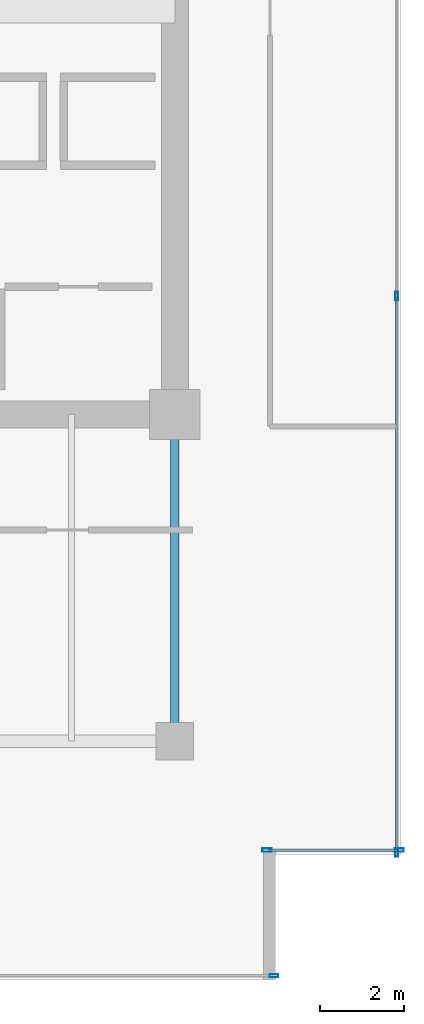
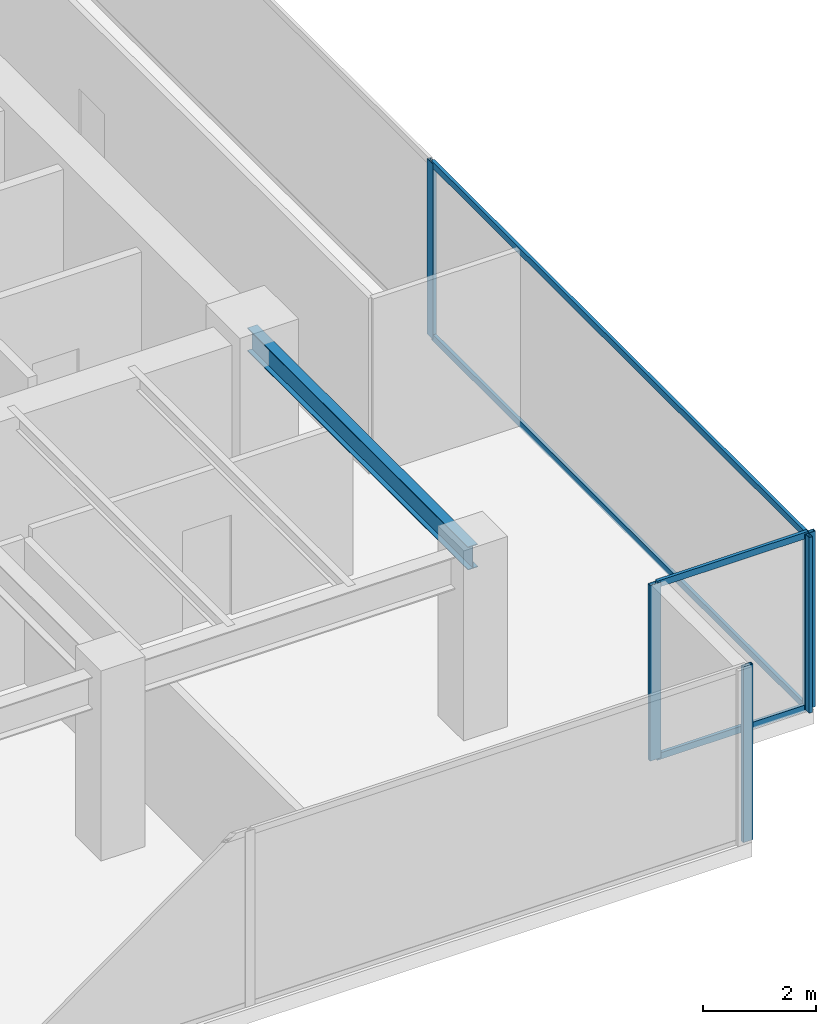
# One storey, part 21 of 30: 9 members, 1 beam, 3 elements without a shape of their own.
"""IFC4 building model written with IfcOpenShell, lengths in metres."""

import ifcopenshell
import ifcopenshell.guid

model = None  # the IFC model being written
_history = None  # IfcOwnerHistory: only IFC2X3 demands one
_inside = {}  # id of a spatial element -> (the spatial element, [elements in it])
_under = {}  # id of a project, library or spatial element -> (it, [spatial elements below it])
_declared = {}  # id of a project -> (the project, [libraries it declares])
_typed = {}  # id of a type object -> (the type object, [elements of that type])
_made_of = {}  # id of a material, layer set ... -> (it, [elements and type objects made of it])


def new_model(schema):
    """Start an empty IFC model of exactly this schema.

    Asked for "IFC4X3", IfcOpenShell would pick the latest addendum, in which some entities
    have other attributes; the version numbers below select the first issue.
    IFC2X3 requires an IfcOwnerHistory on every rooted entity: one is made here for all.
    """
    global model, _history
    if schema == "IFC4X3":
        model = ifcopenshell.file(schema_version=(4, 3, 0, 0))
    else:
        model = ifcopenshell.file(schema=schema)
    _inside.clear()
    _under.clear()
    _declared.clear()
    _typed.clear()
    _made_of.clear()
    _history = None
    if model.schema == "IFC2X3":
        org = make("IfcOrganization", Name="unknown")
        user = make(
            "IfcPersonAndOrganization",
            ThePerson=make("IfcPerson", FamilyName="unknown"),
            TheOrganization=org,
        )
        app = make(
            "IfcApplication",
            ApplicationDeveloper=org,
            Version="unknown",
            ApplicationFullName="unknown",
            ApplicationIdentifier="unknown",
        )
        _history = make(
            "IfcOwnerHistory",
            OwningUser=user,
            OwningApplication=app,
            ChangeAction="ADDED",
            CreationDate=0,
        )
    return model


def make(cls, **values):
    """One entity of the class cls with the attributes given. An attribute that is None is left unset."""
    return model.create_entity(
        cls, **{name: value for name, value in values.items() if value is not None}
    )


def rooted(cls, **values):
    """An entity with a GlobalId (a new one), such as an element, a storey or a relation."""
    return make(cls, GlobalId=ifcopenshell.guid.new(), OwnerHistory=_history, **values)


def si_unit(unit_type, name, prefix=None):
    """IfcSIUnit, for example si_unit("LENGTHUNIT", "METRE", prefix="MILLI")."""
    return make("IfcSIUnit", UnitType=unit_type, Prefix=prefix, Name=name)


def assignment(units):
    """IfcUnitAssignment: the units of a project."""
    return None if units is None else make("IfcUnitAssignment", Units=units)


def point(xyz):
    """IfcCartesianPoint."""
    return None if xyz is None else make("IfcCartesianPoint", Coordinates=xyz)


def direction(xyz):
    """IfcDirection."""
    return None if xyz is None else make("IfcDirection", DirectionRatios=xyz)


def frame(location, z_axis=None, x_axis=None):
    """IfcAxis2Placement3D, a coordinate frame: its origin and axes. An axis left out is left unset."""
    return make(
        "IfcAxis2Placement3D",
        Location=point(location),
        Axis=direction(z_axis),
        RefDirection=direction(x_axis),
    )


def frame_2d(location, x_axis=None):
    """IfcAxis2Placement2D, a coordinate frame in the plane: its origin and x axis."""
    return make(
        "IfcAxis2Placement2D", Location=point(location), RefDirection=direction(x_axis)
    )


def origin():
    """The frame at (0, 0, 0) with its axes left unset."""
    return frame((0.0, 0.0, 0.0))


def origin_2d():
    """The frame at (0, 0) in the plane with its x axis left unset."""
    return frame_2d((0.0, 0.0))


def place(relative_to, where):
    """IfcLocalPlacement: puts the frame where relative to a parent placement (None: the world)."""
    return make(
        "IfcLocalPlacement", PlacementRelTo=relative_to, RelativePlacement=where
    )


def context(
    kind, dimensions, precision=None, world=None, true_north=None, identifier=None
):
    """IfcGeometricRepresentationContext, for example the 3D "Model" context."""
    return make(
        "IfcGeometricRepresentationContext",
        ContextIdentifier=identifier,
        ContextType=kind,
        CoordinateSpaceDimension=dimensions,
        Precision=precision,
        WorldCoordinateSystem=world,
        TrueNorth=true_north,
    )


def subcontext(parent, identifier, kind, view, scale=None):
    """IfcGeometricRepresentationSubContext, for example "Body" below "Model"."""
    return make(
        "IfcGeometricRepresentationSubContext",
        ContextIdentifier=identifier,
        ContextType=kind,
        ParentContext=parent,
        TargetScale=scale,
        TargetView=view,
    )


def project(units=None, contexts=None):
    """IfcProject with its units and contexts."""
    return rooted(
        "IfcProject",
        Name="project",
        RepresentationContexts=contexts,
        UnitsInContext=assignment(units),
    )


def spatial(cls, under=None, at=None, **own):
    """A site, building, storey or space (cls), placed at a placement, below another one or the project."""
    s = rooted(cls, ObjectPlacement=at, **own)
    if under is not None:
        _under.setdefault(under.id(), (under, []))[1].append(s)
    return s


def profile(cls, at=None, kind="AREA", **sizes):
    """A parametric profile (cls). Its sizes go by their IFC names, for example OverallWidth=200.0."""
    return make(cls, ProfileType=kind, Position=at, **sizes)


def hollow_rectangle(**sizes):
    """IfcRectangleHollowProfileDef."""
    return profile("IfcRectangleHollowProfileDef", **sizes)


def i_section(**sizes):
    """IfcIShapeProfileDef."""
    return profile("IfcIShapeProfileDef", **sizes)


def extrude(swept, where, along, depth):
    """IfcExtrudedAreaSolid: the profile swept, set in the frame where, extruded along a direction by depth."""
    return make(
        "IfcExtrudedAreaSolid",
        SweptArea=swept,
        Position=where,
        ExtrudedDirection=direction(along),
        Depth=depth,
    )


def shape(context_of_items, identifier, shape_type, items):
    """IfcShapeRepresentation: the items that make up one representation, for example the "Body"."""
    return make(
        "IfcShapeRepresentation",
        ContextOfItems=context_of_items,
        RepresentationIdentifier=identifier,
        RepresentationType=shape_type,
        Items=items,
    )


def source(mapping_origin, context_of_items, identifier, shape_type, items):
    """IfcRepresentationMap: a shape defined once, which mapped items show again and again."""
    return make(
        "IfcRepresentationMap",
        MappingOrigin=mapping_origin,
        MappedRepresentation=shape(context_of_items, identifier, shape_type, items),
    )


def transform(
    local_origin,
    x_axis=None,
    y_axis=None,
    z_axis=None,
    scale=None,
    scale2=None,
    scale3=None,
    uniform=True,
):
    """IfcCartesianTransformationOperator3D, or its non-uniform kind. x_axis, y_axis, z_axis: its Axis1, 2, 3."""
    if uniform:
        return make(
            "IfcCartesianTransformationOperator3D",
            Axis1=direction(x_axis),
            Axis2=direction(y_axis),
            LocalOrigin=point(local_origin),
            Scale=scale,
            Axis3=direction(z_axis),
        )
    return make(
        "IfcCartesianTransformationOperator3DnonUniform",
        Axis1=direction(x_axis),
        Axis2=direction(y_axis),
        LocalOrigin=point(local_origin),
        Scale=scale,
        Axis3=direction(z_axis),
        Scale2=scale2,
        Scale3=scale3,
    )


def mapped(mapping_source, mapping_target):
    """IfcMappedItem: shows the shape of a source again, moved by a transform."""
    return make(
        "IfcMappedItem", MappingSource=mapping_source, MappingTarget=mapping_target
    )


def material(Name=None, Category=None):
    """IfcMaterial."""
    return make("IfcMaterial", Name=Name, Category=Category)


def layer(
    of_material, thickness, ventilated=None, Name=None, Category=None, Priority=None
):
    """IfcMaterialLayer: one layer of a wall or slab, of a material (None: an air gap)."""
    return make(
        "IfcMaterialLayer",
        Material=of_material,
        LayerThickness=thickness,
        IsVentilated=ventilated,
        Name=Name,
        Category=Category,
        Priority=Priority,
    )


def layer_set(layers, Name=None):
    """IfcMaterialLayerSet."""
    return make("IfcMaterialLayerSet", MaterialLayers=layers, LayerSetName=Name)


def material_profile(
    of_material, cross_section, Name=None, Category=None, Priority=None
):
    """IfcMaterialProfile: a cross section and its material."""
    return make(
        "IfcMaterialProfile",
        Name=Name,
        Material=of_material,
        Profile=cross_section,
        Priority=Priority,
        Category=Category,
    )


def profile_set(profiles, Name=None, composite=None):
    """IfcMaterialProfileSet."""
    return make(
        "IfcMaterialProfileSet",
        Name=Name,
        MaterialProfiles=profiles,
        CompositeProfile=composite,
    )


def made_of(thing, what):
    """Note that an element or type object is made of a material, layer set ...; save() writes the relation."""
    if what is not None:
        _made_of.setdefault(what.id(), (what, []))[1].append(thing)
    return thing


def type_object(cls, material=None, **own):
    """A type object (cls), such as IfcWallType, which elements share."""
    return made_of(rooted(cls, **own), material)


def type_shapes(of_type, sources):
    """Give a type object the sources (RepresentationMaps) that its elements show as mapped items."""
    of_type.RepresentationMaps = sources


def element(
    cls,
    number,
    at=None,
    inside=None,
    cuts=None,
    type_object=None,
    material=None,
    context=None,
    identifier="Body",
    shape_type=None,
    held_by="IfcProductDefinitionShape",
    body=None,
    shapes=None,
    **own,
):
    """One element of the class cls, such as IfcWall. Its Tag is "e" and its number.

    at: its placement. inside: the storey or other place that contains it. cuts: it is an
    opening in that element (IfcRelVoidsElement). A single representation is given by context,
    identifier, shape_type and body (its items); several are given by shapes. held_by: the class
    of the entity that holds the representations. save() writes the other relations.
    """
    e = rooted(cls, Tag="e%d" % number, ObjectPlacement=at, **own)
    if body is not None:
        shapes = [shape(context, identifier, shape_type, body)]
    if shapes is not None:
        e.Representation = make(held_by, Representations=shapes)
    if inside is not None:
        _inside.setdefault(inside.id(), (inside, []))[1].append(e)
    if cuts is not None:
        rooted(
            "IfcRelVoidsElement", RelatingBuildingElement=cuts, RelatedOpeningElement=e
        )
    if type_object is not None:
        _typed.setdefault(type_object.id(), (type_object, []))[1].append(e)
    return made_of(e, material)


def aggregate(whole, parts):
    """IfcRelAggregates: a whole, such as a stair, and the parts it consists of."""
    return rooted("IfcRelAggregates", RelatingObject=whole, RelatedObjects=parts)


def save(model, path):
    """Write the relations noted so far, then the file.

    IfcRelAggregates (storeys below a building ...), IfcRelContainedInSpatialStructure (elements
    in a storey), IfcRelDefinesByType, IfcRelAssociatesMaterial and IfcRelDeclares: one each for
    every whole, place, type object, material and project.
    """
    for whole, parts in _under.values():
        aggregate(whole, parts)
    for where, things in _inside.values():
        rooted(
            "IfcRelContainedInSpatialStructure",
            RelatedElements=things,
            RelatingStructure=where,
        )
    for kind, things in _typed.values():
        rooted("IfcRelDefinesByType", RelatedObjects=things, RelatingType=kind)
    for what, things in _made_of.values():
        rooted("IfcRelAssociatesMaterial", RelatedObjects=things, RelatingMaterial=what)
    for by, libraries in _declared.values():
        rooted("IfcRelDeclares", RelatingContext=by, RelatedDefinitions=libraries)
    model.write(path)


model = new_model("IFC4")

# Units and contexts
model_context = context("Model", 3, precision=1e-05, world=origin(), true_north=direction((0.0, 1.0)))
body_context = subcontext(model_context, "Body", "Model", "MODEL_VIEW")
ifc_project = project(units=[si_unit("LENGTHUNIT", "METRE"), si_unit("AREAUNIT", "SQUARE_METRE"), si_unit("VOLUMEUNIT", "CUBIC_METRE"), si_unit("PLANEANGLEUNIT", "RADIAN"), si_unit("MASSUNIT", "GRAM", prefix="KILO")], contexts=[model_context])

# Site, building, storey
site_placement = place(None, origin())
site = spatial("IfcSite", under=ifc_project, at=site_placement, CompositionType="ELEMENT")
building_placement = place(site_placement, origin())
building = spatial("IfcBuilding", under=site, at=building_placement, Name="Haelvirn Gate Laboratories", CompositionType="ELEMENT")
storey_placement = place(building_placement, frame((0.0, 0.0, 125.60009765625)))
storey = spatial("IfcBuildingStorey", under=building, at=storey_placement, Name="L30", CompositionType="ELEMENT", Elevation=125.60009765625)

# Beam
ifc_material_1 = material(Name="Steel SM355", Category="steel")
ifc_material_profile_1 = material_profile(ifc_material_1, i_section(OverallWidth=0.199951171875, OverallDepth=0.5, WebThickness=0.010009765625, FlangeThickness=0.01611328125, at=origin_2d()), Name="H-500x200x10x16")
ifc_profile_set_1 = profile_set([ifc_material_profile_1], Name="Steel SM355")
beam_type = type_object("IfcBeamType", Name="BM-SP-500", PredefinedType="SPANDREL", material=ifc_profile_set_1)
shared_shape_1 = source(origin(), body_context, "Body", "SweptSolid", [
    extrude(i_section(OverallWidth=0.199951171875, OverallDepth=0.5, WebThickness=0.010009765625, FlangeThickness=0.01611328125, at=origin_2d()), origin(), (0.0, 0.0, 1.0), 7.800048828125),
])
type_shapes(beam_type, [shared_shape_1])
beam_placement = place(storey_placement, frame((67.39990234375, 7.0, 3.539794921875), z_axis=(0.0, 1.0, 0.0), x_axis=(-1.0, 0.0, 0.0)))
element("IfcBeam", 1, at=beam_placement, inside=storey, type_object=beam_type, Name="L30 Perimeter Spandrel X67.4 (7.0-14.8)", PredefinedType="SPANDREL", context=body_context, shape_type="MappedRepresentation", body=[
    mapped(shared_shape_1, transform((0.0, 0.0, 0.0), scale=1.0)),
])

# Curtain wall, members
ifc_material_2 = material(Name="Anodised bronze unitised aluminium & triple low-E glass", Category="aluminium")
ifc_layer_1 = layer(ifc_material_2, 0.181884765625, Name="CW-SYS-5")
ifc_layer_set_1 = layer_set([ifc_layer_1], Name="Anodised bronze unitised aluminium & triple low-E glass")
curtain_wall_type_1 = type_object("IfcCurtainWallType", Name="CW-SYS-5", PredefinedType="NOTDEFINED", material=ifc_layer_set_1)
curtain_wall_1_placement = place(storey_placement, origin())
curtain_wall_1 = element("IfcCurtainWall", 2, at=curtain_wall_1_placement, inside=storey, type_object=curtain_wall_type_1, Name="L30 Unitised Curtain Wall CW-L30-P0-E06-1", PredefinedType="NOTDEFINED")
ifc_material_3 = material(Name="Extruded aluminium 6063-T6 (anodised bronze)", Category="aluminium")
ifc_material_profile_2 = material_profile(ifc_material_3, hollow_rectangle(XDim=0.06494140625, YDim=0.139892578125, WallThickness=0.00390625, at=origin_2d()), Name="CWT-140x65x4")
ifc_profile_set_2 = profile_set([ifc_material_profile_2], Name="Extruded aluminium 6063-T6 (anodised bronze)")
member_type_1 = type_object("IfcMemberType", Name="CWT-T140", PredefinedType="USERDEFINED", material=ifc_profile_set_2)
shared_shape_2 = source(origin(), body_context, "Body", "SweptSolid", [
    extrude(hollow_rectangle(XDim=0.06494140625, YDim=0.139892578125, WallThickness=0.00390625, at=origin_2d()), origin(), (0.0, 0.0, 1.0), 3.080078125),
])
member_1_placement = place(storey_placement, frame((69.639892578125, 4.39990234375, 0.032470703125), z_axis=(1.0, 0.0, 0.0), x_axis=(0.0, 1.0, 0.0)))
member_1 = element("IfcMember", 3, at=member_1_placement, type_object=member_type_1, Name="CW5 transom 1.1", ObjectType="TRANSOM", PredefinedType="USERDEFINED", context=body_context, shape_type="MappedRepresentation", body=[
    mapped(shared_shape_2, transform((0.0, 0.0, 0.0), scale=1.0)),
])
member_2_placement = place(storey_placement, frame((69.639892578125, 4.39990234375, 3.75732421875), z_axis=(1.0, 0.0, 0.0), x_axis=(0.0, 1.0, 0.0)))
member_2 = element("IfcMember", 4, at=member_2_placement, type_object=member_type_1, Name="CW5 transom 1.2", ObjectType="TRANSOM", PredefinedType="USERDEFINED", context=body_context, shape_type="MappedRepresentation", body=[
    mapped(shared_shape_2, transform((0.0, 0.0, 0.0), scale=1.0)),
])

ifc_layer_2 = layer(ifc_material_2, 0.179931640625, Name="CW-SYS-3")
ifc_layer_set_2 = layer_set([ifc_layer_2], Name="Anodised bronze unitised aluminium & triple low-E glass")
curtain_wall_type_2 = type_object("IfcCurtainWallType", Name="CW-SYS-3", PredefinedType="NOTDEFINED", material=ifc_layer_set_2)
curtain_wall_2_placement = place(storey_placement, origin())
curtain_wall_2 = element("IfcCurtainWall", 5, at=curtain_wall_2_placement, inside=storey, type_object=curtain_wall_type_2, Name="L30 Unitised Curtain Wall CW-L30-P0-E07", PredefinedType="NOTDEFINED")
shared_shape_3 = source(origin(), body_context, "Body", "SweptSolid", [
    extrude(hollow_rectangle(XDim=0.06494140625, YDim=0.139892578125, WallThickness=0.00390625, at=origin_2d()), origin(), (0.0, 0.0, 1.0), 13.220947265625),
])
type_shapes(member_type_1, [shared_shape_2, shared_shape_3])
member_3_placement = place(storey_placement, frame((72.699951171875, 4.375, 0.032470703125), z_axis=(0.0, 1.0, 0.0), x_axis=(-1.0, 0.0, 0.0)))
member_3 = element("IfcMember", 6, at=member_3_placement, type_object=member_type_1, Name="CW3 transom 1.1", ObjectType="TRANSOM", PredefinedType="USERDEFINED", context=body_context, shape_type="MappedRepresentation", body=[
    mapped(shared_shape_3, transform((0.0, 0.0, 0.0), scale=1.0)),
])
member_4_placement = place(storey_placement, frame((72.699951171875, 4.375, 3.75732421875), z_axis=(0.0, 1.0, 0.0), x_axis=(-1.0, 0.0, 0.0)))
member_4 = element("IfcMember", 7, at=member_4_placement, type_object=member_type_1, Name="CW3 transom 1.2", ObjectType="TRANSOM", PredefinedType="USERDEFINED", context=body_context, shape_type="MappedRepresentation", body=[
    mapped(shared_shape_3, transform((0.0, 0.0, 0.0), scale=1.0)),
])

# Curtain wall, member
curtain_wall_3_placement = place(storey_placement, origin())
curtain_wall_3 = element("IfcCurtainWall", 8, at=curtain_wall_3_placement, inside=storey, type_object=curtain_wall_type_2, Name="L30 Unitised Curtain Wall CW-L30-P0-E04-1", PredefinedType="NOTDEFINED")
ifc_material_profile_3 = material_profile(ifc_material_3, hollow_rectangle(XDim=0.074951171875, YDim=0.199951171875, WallThickness=0.0048828125, at=origin_2d()), Name="CWM-200x75x5")
ifc_profile_set_3 = profile_set([ifc_material_profile_3], Name="Extruded aluminium 6063-T6 (anodised bronze)")
member_type_2 = type_object("IfcMemberType", Name="CWM-T200", PredefinedType="MULLION", material=ifc_profile_set_3)
shared_shape_4 = source(origin(), body_context, "Body", "SweptSolid", [
    extrude(hollow_rectangle(XDim=0.074951171875, YDim=0.199951171875, WallThickness=0.0048828125, at=origin_2d()), origin(), (0.0, 0.0, 1.0), 3.789794921875),
])
type_shapes(member_type_2, [shared_shape_4])
member_5_placement = place(storey_placement, frame((69.762451171875, 1.39990234375, 0.0), z_axis=(0.0, 0.0, 1.0), x_axis=(0.0, 1.0, 0.0)))
member_5 = element("IfcMember", 9, at=member_5_placement, type_object=member_type_2, Name="CW3 mullion 3", PredefinedType="MULLION", context=body_context, shape_type="MappedRepresentation", body=[
    mapped(shared_shape_4, transform((0.0, 0.0, 0.0), scale=1.0)),
])
aggregate(curtain_wall_3, [member_5])

# Member
member_6_placement = place(storey_placement, frame((72.699951171875, 4.33740234375, 0.0), z_axis=(0.0, 0.0, 1.0), x_axis=(-1.0, 0.0, 0.0)))
member_6 = element("IfcMember", 10, at=member_6_placement, type_object=member_type_2, Name="CW3 mullion 1", PredefinedType="MULLION", context=body_context, shape_type="MappedRepresentation", body=[
    mapped(shared_shape_4, transform((0.0, 0.0, 0.0), scale=1.0)),
])

member_7_placement = place(storey_placement, frame((72.699951171875, 17.63330078125, 0.0), z_axis=(0.0, 0.0, 1.0), x_axis=(-1.0, 0.0, 0.0)))
member_7 = element("IfcMember", 11, at=member_7_placement, type_object=member_type_2, Name="CW3 mullion 2", PredefinedType="MULLION", context=body_context, shape_type="MappedRepresentation", body=[
    mapped(shared_shape_4, transform((0.0, 0.0, 0.0), scale=1.0)),
])

aggregate(curtain_wall_2, [member_6, member_7, member_3, member_4])

ifc_material_profile_4 = material_profile(ifc_material_3, hollow_rectangle(XDim=0.080078125, YDim=0.219970703125, WallThickness=0.006103515625, at=origin_2d()), Name="CWM-220x80x6")
ifc_profile_set_4 = profile_set([ifc_material_profile_4], Name="Extruded aluminium 6063-T6 (anodised bronze)")
member_type_3 = type_object("IfcMemberType", Name="CWM-T220", PredefinedType="MULLION", material=ifc_profile_set_4)
shared_shape_5 = source(origin(), body_context, "Body", "SweptSolid", [
    extrude(hollow_rectangle(XDim=0.080078125, YDim=0.219970703125, WallThickness=0.006103515625, at=origin_2d()), origin(), (0.0, 0.0, 1.0), 3.789794921875),
])
type_shapes(member_type_3, [shared_shape_5])
member_8_placement = place(storey_placement, frame((69.60009765625, 4.39990234375, 0.0), z_axis=(0.0, 0.0, 1.0), x_axis=(0.0, 1.0, 0.0)))
member_8 = element("IfcMember", 12, at=member_8_placement, type_object=member_type_3, Name="CW5 mullion 1", PredefinedType="MULLION", context=body_context, shape_type="MappedRepresentation", body=[
    mapped(shared_shape_5, transform((0.0, 0.0, 0.0), scale=1.0)),
])

member_9_placement = place(storey_placement, frame((72.760009765625, 4.39990234375, 0.0), z_axis=(0.0, 0.0, 1.0), x_axis=(0.0, 1.0, 0.0)))
member_9 = element("IfcMember", 13, at=member_9_placement, type_object=member_type_3, Name="CW5 mullion 2", PredefinedType="MULLION", context=body_context, shape_type="MappedRepresentation", body=[
    mapped(shared_shape_5, transform((0.0, 0.0, 0.0), scale=1.0)),
])

aggregate(curtain_wall_1, [member_8, member_9, member_1, member_2])

save(model, "model.ifc")
